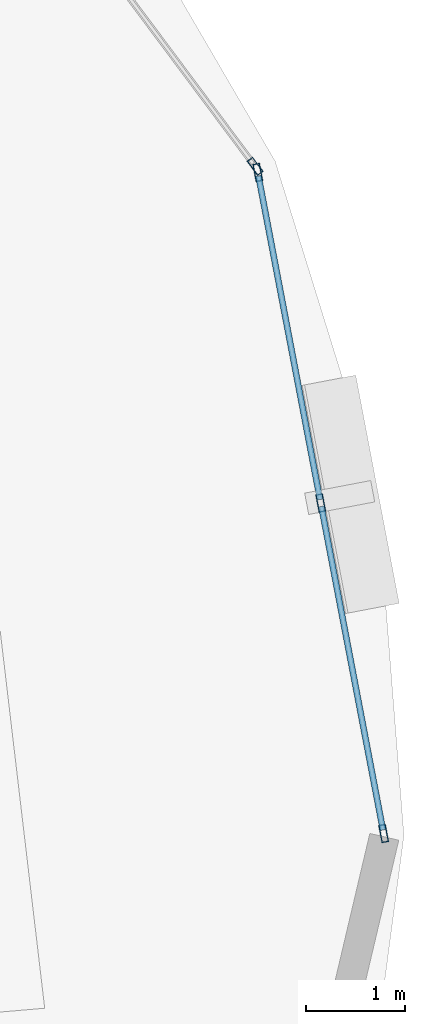
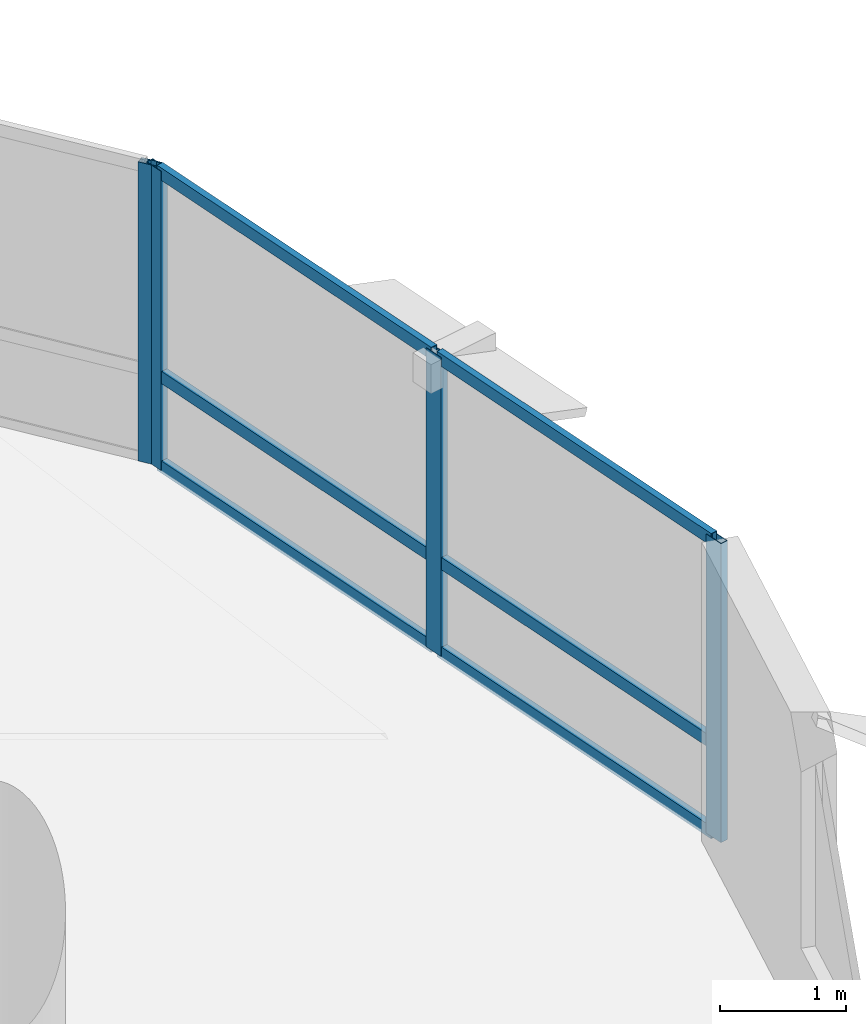
# One storey, part 6 of 14: 10 members, 2 elements without a shape of their own.
"""IFC4 building model written with IfcOpenShell, lengths in metres."""

import ifcopenshell
import ifcopenshell.guid

model = None  # the IFC model being written
_history = None  # IfcOwnerHistory: only IFC2X3 demands one
_inside = {}  # id of a spatial element -> (the spatial element, [elements in it])
_under = {}  # id of a project, library or spatial element -> (it, [spatial elements below it])
_declared = {}  # id of a project -> (the project, [libraries it declares])
_typed = {}  # id of a type object -> (the type object, [elements of that type])
_made_of = {}  # id of a material, layer set ... -> (it, [elements and type objects made of it])


def new_model(schema):
    """Start an empty IFC model of exactly this schema.

    Asked for "IFC4X3", IfcOpenShell would pick the latest addendum, in which some entities
    have other attributes; the version numbers below select the first issue.
    IFC2X3 requires an IfcOwnerHistory on every rooted entity: one is made here for all.
    """
    global model, _history
    if schema == "IFC4X3":
        model = ifcopenshell.file(schema_version=(4, 3, 0, 0))
    else:
        model = ifcopenshell.file(schema=schema)
    _inside.clear()
    _under.clear()
    _declared.clear()
    _typed.clear()
    _made_of.clear()
    _history = None
    if model.schema == "IFC2X3":
        org = make("IfcOrganization", Name="unknown")
        user = make(
            "IfcPersonAndOrganization",
            ThePerson=make("IfcPerson", FamilyName="unknown"),
            TheOrganization=org,
        )
        app = make(
            "IfcApplication",
            ApplicationDeveloper=org,
            Version="unknown",
            ApplicationFullName="unknown",
            ApplicationIdentifier="unknown",
        )
        _history = make(
            "IfcOwnerHistory",
            OwningUser=user,
            OwningApplication=app,
            ChangeAction="ADDED",
            CreationDate=0,
        )
    return model


def make(cls, **values):
    """One entity of the class cls with the attributes given. An attribute that is None is left unset."""
    return model.create_entity(
        cls, **{name: value for name, value in values.items() if value is not None}
    )


def rooted(cls, **values):
    """An entity with a GlobalId (a new one), such as an element, a storey or a relation."""
    return make(cls, GlobalId=ifcopenshell.guid.new(), OwnerHistory=_history, **values)


def si_unit(unit_type, name, prefix=None):
    """IfcSIUnit, for example si_unit("LENGTHUNIT", "METRE", prefix="MILLI")."""
    return make("IfcSIUnit", UnitType=unit_type, Prefix=prefix, Name=name)


def assignment(units):
    """IfcUnitAssignment: the units of a project."""
    return None if units is None else make("IfcUnitAssignment", Units=units)


def point(xyz):
    """IfcCartesianPoint."""
    return None if xyz is None else make("IfcCartesianPoint", Coordinates=xyz)


def direction(xyz):
    """IfcDirection."""
    return None if xyz is None else make("IfcDirection", DirectionRatios=xyz)


def frame(location, z_axis=None, x_axis=None):
    """IfcAxis2Placement3D, a coordinate frame: its origin and axes. An axis left out is left unset."""
    return make(
        "IfcAxis2Placement3D",
        Location=point(location),
        Axis=direction(z_axis),
        RefDirection=direction(x_axis),
    )


def frame_2d(location, x_axis=None):
    """IfcAxis2Placement2D, a coordinate frame in the plane: its origin and x axis."""
    return make(
        "IfcAxis2Placement2D", Location=point(location), RefDirection=direction(x_axis)
    )


def origin():
    """The frame at (0, 0, 0) with its axes left unset."""
    return frame((0.0, 0.0, 0.0))


def origin_2d():
    """The frame at (0, 0) in the plane with its x axis left unset."""
    return frame_2d((0.0, 0.0))


def place(relative_to, where):
    """IfcLocalPlacement: puts the frame where relative to a parent placement (None: the world)."""
    return make(
        "IfcLocalPlacement", PlacementRelTo=relative_to, RelativePlacement=where
    )


def context(
    kind, dimensions, precision=None, world=None, true_north=None, identifier=None
):
    """IfcGeometricRepresentationContext, for example the 3D "Model" context."""
    return make(
        "IfcGeometricRepresentationContext",
        ContextIdentifier=identifier,
        ContextType=kind,
        CoordinateSpaceDimension=dimensions,
        Precision=precision,
        WorldCoordinateSystem=world,
        TrueNorth=true_north,
    )


def subcontext(parent, identifier, kind, view, scale=None):
    """IfcGeometricRepresentationSubContext, for example "Body" below "Model"."""
    return make(
        "IfcGeometricRepresentationSubContext",
        ContextIdentifier=identifier,
        ContextType=kind,
        ParentContext=parent,
        TargetScale=scale,
        TargetView=view,
    )


def project(units=None, contexts=None):
    """IfcProject with its units and contexts."""
    return rooted(
        "IfcProject",
        Name="project",
        RepresentationContexts=contexts,
        UnitsInContext=assignment(units),
    )


def spatial(cls, under=None, at=None, **own):
    """A site, building, storey or space (cls), placed at a placement, below another one or the project."""
    s = rooted(cls, ObjectPlacement=at, **own)
    if under is not None:
        _under.setdefault(under.id(), (under, []))[1].append(s)
    return s


def profile(cls, at=None, kind="AREA", **sizes):
    """A parametric profile (cls). Its sizes go by their IFC names, for example OverallWidth=200.0."""
    return make(cls, ProfileType=kind, Position=at, **sizes)


def hollow_rectangle(**sizes):
    """IfcRectangleHollowProfileDef."""
    return profile("IfcRectangleHollowProfileDef", **sizes)


def extrude(swept, where, along, depth):
    """IfcExtrudedAreaSolid: the profile swept, set in the frame where, extruded along a direction by depth."""
    return make(
        "IfcExtrudedAreaSolid",
        SweptArea=swept,
        Position=where,
        ExtrudedDirection=direction(along),
        Depth=depth,
    )


def shape(context_of_items, identifier, shape_type, items):
    """IfcShapeRepresentation: the items that make up one representation, for example the "Body"."""
    return make(
        "IfcShapeRepresentation",
        ContextOfItems=context_of_items,
        RepresentationIdentifier=identifier,
        RepresentationType=shape_type,
        Items=items,
    )


def material(Name=None, Category=None):
    """IfcMaterial."""
    return make("IfcMaterial", Name=Name, Category=Category)


def layer(
    of_material, thickness, ventilated=None, Name=None, Category=None, Priority=None
):
    """IfcMaterialLayer: one layer of a wall or slab, of a material (None: an air gap)."""
    return make(
        "IfcMaterialLayer",
        Material=of_material,
        LayerThickness=thickness,
        IsVentilated=ventilated,
        Name=Name,
        Category=Category,
        Priority=Priority,
    )


def layer_set(layers, Name=None):
    """IfcMaterialLayerSet."""
    return make("IfcMaterialLayerSet", MaterialLayers=layers, LayerSetName=Name)


def material_profile(
    of_material, cross_section, Name=None, Category=None, Priority=None
):
    """IfcMaterialProfile: a cross section and its material."""
    return make(
        "IfcMaterialProfile",
        Name=Name,
        Material=of_material,
        Profile=cross_section,
        Priority=Priority,
        Category=Category,
    )


def profile_set(profiles, Name=None, composite=None):
    """IfcMaterialProfileSet."""
    return make(
        "IfcMaterialProfileSet",
        Name=Name,
        MaterialProfiles=profiles,
        CompositeProfile=composite,
    )


def made_of(thing, what):
    """Note that an element or type object is made of a material, layer set ...; save() writes the relation."""
    if what is not None:
        _made_of.setdefault(what.id(), (what, []))[1].append(thing)
    return thing


def type_object(cls, material=None, **own):
    """A type object (cls), such as IfcWallType, which elements share."""
    return made_of(rooted(cls, **own), material)


def element(
    cls,
    number,
    at=None,
    inside=None,
    cuts=None,
    type_object=None,
    material=None,
    context=None,
    identifier="Body",
    shape_type=None,
    held_by="IfcProductDefinitionShape",
    body=None,
    shapes=None,
    **own,
):
    """One element of the class cls, such as IfcWall. Its Tag is "e" and its number.

    at: its placement. inside: the storey or other place that contains it. cuts: it is an
    opening in that element (IfcRelVoidsElement). A single representation is given by context,
    identifier, shape_type and body (its items); several are given by shapes. held_by: the class
    of the entity that holds the representations. save() writes the other relations.
    """
    e = rooted(cls, Tag="e%d" % number, ObjectPlacement=at, **own)
    if body is not None:
        shapes = [shape(context, identifier, shape_type, body)]
    if shapes is not None:
        e.Representation = make(held_by, Representations=shapes)
    if inside is not None:
        _inside.setdefault(inside.id(), (inside, []))[1].append(e)
    if cuts is not None:
        rooted(
            "IfcRelVoidsElement", RelatingBuildingElement=cuts, RelatedOpeningElement=e
        )
    if type_object is not None:
        _typed.setdefault(type_object.id(), (type_object, []))[1].append(e)
    return made_of(e, material)


def aggregate(whole, parts):
    """IfcRelAggregates: a whole, such as a stair, and the parts it consists of."""
    return rooted("IfcRelAggregates", RelatingObject=whole, RelatedObjects=parts)


def save(model, path):
    """Write the relations noted so far, then the file.

    IfcRelAggregates (storeys below a building ...), IfcRelContainedInSpatialStructure (elements
    in a storey), IfcRelDefinesByType, IfcRelAssociatesMaterial and IfcRelDeclares: one each for
    every whole, place, type object, material and project.
    """
    for whole, parts in _under.values():
        aggregate(whole, parts)
    for where, things in _inside.values():
        rooted(
            "IfcRelContainedInSpatialStructure",
            RelatedElements=things,
            RelatingStructure=where,
        )
    for kind, things in _typed.values():
        rooted("IfcRelDefinesByType", RelatedObjects=things, RelatingType=kind)
    for what, things in _made_of.values():
        rooted("IfcRelAssociatesMaterial", RelatedObjects=things, RelatingMaterial=what)
    for by, libraries in _declared.values():
        rooted("IfcRelDeclares", RelatingContext=by, RelatedDefinitions=libraries)
    model.write(path)


model = new_model("IFC4")

# Units and contexts
model_context = context("Model", 3, precision=1e-05, world=origin(), true_north=direction((0.0, 1.0)))
body_context = subcontext(model_context, "Body", "Model", "MODEL_VIEW")
ifc_project = project(units=[si_unit("LENGTHUNIT", "METRE"), si_unit("AREAUNIT", "SQUARE_METRE"), si_unit("VOLUMEUNIT", "CUBIC_METRE"), si_unit("PLANEANGLEUNIT", "RADIAN"), si_unit("MASSUNIT", "GRAM", prefix="KILO"), si_unit("THERMODYNAMICTEMPERATUREUNIT", "KELVIN"), si_unit("POWERUNIT", "WATT")], contexts=[model_context])

# Site, building, storey
site_placement = place(None, origin())
site = spatial("IfcSite", under=ifc_project, at=site_placement, CompositionType="ELEMENT")
building_placement = place(site_placement, origin())
building = spatial("IfcBuilding", under=site, at=building_placement, Name="Ocrelia Relay Tower", CompositionType="ELEMENT")
storey_placement = place(building_placement, frame((0.0, 0.0, 133.800048828125)))
storey = spatial("IfcBuildingStorey", under=building, at=storey_placement, Name="L31", CompositionType="ELEMENT", Elevation=133.800048828125)

# Curtain wall, member
ifc_material_1 = material(Name="Aluminium and solar-control low-E glass", Category="aluminium")
ifc_layer = layer(ifc_material_1, 0.179931640625, Name="Aluminium and solar-control low-E glass")
ifc_layer_set = layer_set([ifc_layer], Name="Aluminium and solar-control low-E glass")
curtain_wall_type = type_object("IfcCurtainWallType", Name="CW-SYS-Z2-SWIT", PredefinedType="NOTDEFINED", material=ifc_layer_set)
curtain_wall_1_placement = place(storey_placement, origin())
curtain_wall_1 = element("IfcCurtainWall", 1, at=curtain_wall_1_placement, inside=storey, type_object=curtain_wall_type, Name="L31 Elliptical Tower Curtain Wall Bay 01", PredefinedType="NOTDEFINED")
ifc_material_2 = material(Name="Anodised bronze aluminium", Category="aluminium")
ifc_material_profile_1 = material_profile(ifc_material_2, hollow_rectangle(XDim=0.070068359375, YDim=0.179931640625, WallThickness=0.006103515625, at=origin_2d()), Name="CW-MUL-180x70")
ifc_profile_set_1 = profile_set([ifc_material_profile_1], Name="Anodised bronze aluminium")
member_type_1 = type_object("IfcMemberType", Name="CW-SYS-Z2-SWIT-MUL", PredefinedType="MULLION", material=ifc_profile_set_1)
member_1_placement = place(storey_placement, frame((57.4111328125, 36.33837890625, 0.0), z_axis=(0.0, 0.0, 1.0), x_axis=(-0.801572448234, -0.597897658661, 0.0)))
member_1 = element("IfcMember", 2, at=member_1_placement, type_object=member_type_1, Name="CW-Z2 mullion 1", PredefinedType="MULLION", context=body_context, shape_type="SweptSolid", body=[
    extrude(hollow_rectangle(XDim=0.070068359375, YDim=0.179931640625, WallThickness=0.006103515625, at=origin_2d()), origin(), (0.0, 0.0, 1.0), 2.89990234375),
])
aggregate(curtain_wall_1, [member_1])

# Curtain wall, members
curtain_wall_2_placement = place(storey_placement, origin())
curtain_wall_2 = element("IfcCurtainWall", 3, at=curtain_wall_2_placement, inside=storey, type_object=curtain_wall_type, Name="L31 Elliptical Tower Curtain Wall Bay 18", PredefinedType="NOTDEFINED")
member_2_placement = place(storey_placement, frame((58.712158203125, 29.5869140625, 0.0), z_axis=(0.0, 0.0, 1.0), x_axis=(-0.982351414993, -0.187044640292, 0.0)))
member_2 = element("IfcMember", 4, at=member_2_placement, type_object=member_type_1, Name="CW-Z2 mullion 1", PredefinedType="MULLION", context=body_context, shape_type="SweptSolid", body=[
    extrude(hollow_rectangle(XDim=0.070068359375, YDim=0.179931640625, WallThickness=0.006103515625, at=origin_2d()), origin(), (0.0, 0.0, 1.0), 2.89990234375),
])
member_3_placement = place(storey_placement, frame((58.075439453125, 32.931396484375, 0.0), z_axis=(0.0, 0.0, 1.0), x_axis=(-0.982351414993, -0.187044640292, 0.0)))
member_3 = element("IfcMember", 5, at=member_3_placement, type_object=member_type_1, Name="CW-Z2 mullion 2", PredefinedType="MULLION", context=body_context, shape_type="SweptSolid", body=[
    extrude(hollow_rectangle(XDim=0.070068359375, YDim=0.179931640625, WallThickness=0.006103515625, at=origin_2d()), origin(), (0.0, 0.0, 1.0), 2.89990234375),
])
member_4_placement = place(storey_placement, frame((57.4384765625, 36.27587890625, 0.0), z_axis=(0.0, 0.0, 1.0), x_axis=(-0.982351414993, -0.187044640292, 0.0)))
member_4 = element("IfcMember", 6, at=member_4_placement, type_object=member_type_1, Name="CW-Z2 mullion 3", PredefinedType="MULLION", context=body_context, shape_type="SweptSolid", body=[
    extrude(hollow_rectangle(XDim=0.070068359375, YDim=0.179931640625, WallThickness=0.006103515625, at=origin_2d()), origin(), (0.0, 0.0, 1.0), 2.89990234375),
])
ifc_material_profile_2 = material_profile(ifc_material_2, hollow_rectangle(XDim=0.06005859375, YDim=0.1201171875, WallThickness=0.0048828125, at=origin_2d()), Name="CW-TRN-120x60")
ifc_profile_set_2 = profile_set([ifc_material_profile_2], Name="Anodised bronze aluminium")
member_type_2 = type_object("IfcMemberType", Name="CW-SYS-Z2-SWIT-TRN", PredefinedType="USERDEFINED", material=ifc_profile_set_2)
member_5_placement = place(storey_placement, frame((58.70556640625, 29.621337890625, 0.030029296875), z_axis=(-0.187068370008, 0.982346896439, 0.0), x_axis=(-0.982346896439, -0.187068370008, 0.0)))
member_5 = element("IfcMember", 7, at=member_5_placement, type_object=member_type_2, Name="CW-Z2 transom 1.1", ObjectType="TRANSOM", PredefinedType="USERDEFINED", context=body_context, shape_type="SweptSolid", body=[
    extrude(hollow_rectangle(XDim=0.06005859375, YDim=0.1201171875, WallThickness=0.0048828125, at=origin_2d()), origin(), (0.0, 0.0, 1.0), 3.33447265625),
])
member_6_placement = place(storey_placement, frame((58.70556640625, 29.621337890625, 0.89990234375), z_axis=(-0.187068370008, 0.982346896439, 0.0), x_axis=(-0.982346896439, -0.187068370008, 0.0)))
member_6 = element("IfcMember", 8, at=member_6_placement, type_object=member_type_2, Name="CW-Z2 transom 1.2", ObjectType="TRANSOM", PredefinedType="USERDEFINED", context=body_context, shape_type="SweptSolid", body=[
    extrude(hollow_rectangle(XDim=0.06005859375, YDim=0.1201171875, WallThickness=0.0048828125, at=origin_2d()), origin(), (0.0, 0.0, 1.0), 3.33447265625),
])
member_7_placement = place(storey_placement, frame((58.70556640625, 29.621337890625, 2.869873046875), z_axis=(-0.187068370008, 0.982346896439, 0.0), x_axis=(-0.982346896439, -0.187068370008, 0.0)))
member_7 = element("IfcMember", 9, at=member_7_placement, type_object=member_type_2, Name="CW-Z2 transom 1.3", ObjectType="TRANSOM", PredefinedType="USERDEFINED", context=body_context, shape_type="SweptSolid", body=[
    extrude(hollow_rectangle(XDim=0.06005859375, YDim=0.1201171875, WallThickness=0.0048828125, at=origin_2d()), origin(), (0.0, 0.0, 1.0), 3.33447265625),
])
member_8_placement = place(storey_placement, frame((58.06884765625, 32.9658203125, 0.030029296875), z_axis=(-0.187068370008, 0.982346896439, 0.0), x_axis=(-0.982346896439, -0.187068370008, 0.0)))
member_8 = element("IfcMember", 10, at=member_8_placement, type_object=member_type_2, Name="CW-Z2 transom 2.1", ObjectType="TRANSOM", PredefinedType="USERDEFINED", context=body_context, shape_type="SweptSolid", body=[
    extrude(hollow_rectangle(XDim=0.06005859375, YDim=0.1201171875, WallThickness=0.0048828125, at=origin_2d()), origin(), (0.0, 0.0, 1.0), 3.33447265625),
])
member_9_placement = place(storey_placement, frame((58.06884765625, 32.9658203125, 0.89990234375), z_axis=(-0.187068370008, 0.982346896439, 0.0), x_axis=(-0.982346896439, -0.187068370008, 0.0)))
member_9 = element("IfcMember", 11, at=member_9_placement, type_object=member_type_2, Name="CW-Z2 transom 2.2", ObjectType="TRANSOM", PredefinedType="USERDEFINED", context=body_context, shape_type="SweptSolid", body=[
    extrude(hollow_rectangle(XDim=0.06005859375, YDim=0.1201171875, WallThickness=0.0048828125, at=origin_2d()), origin(), (0.0, 0.0, 1.0), 3.33447265625),
])
member_10_placement = place(storey_placement, frame((58.06884765625, 32.9658203125, 2.869873046875), z_axis=(-0.187068370008, 0.982346896439, 0.0), x_axis=(-0.982346896439, -0.187068370008, 0.0)))
member_10 = element("IfcMember", 12, at=member_10_placement, type_object=member_type_2, Name="CW-Z2 transom 2.3", ObjectType="TRANSOM", PredefinedType="USERDEFINED", context=body_context, shape_type="SweptSolid", body=[
    extrude(hollow_rectangle(XDim=0.06005859375, YDim=0.1201171875, WallThickness=0.0048828125, at=origin_2d()), origin(), (0.0, 0.0, 1.0), 3.33447265625),
])
aggregate(curtain_wall_2, [member_2, member_3, member_4, member_5, member_6, member_7, member_8, member_9, member_10])

save(model, "model.ifc")
